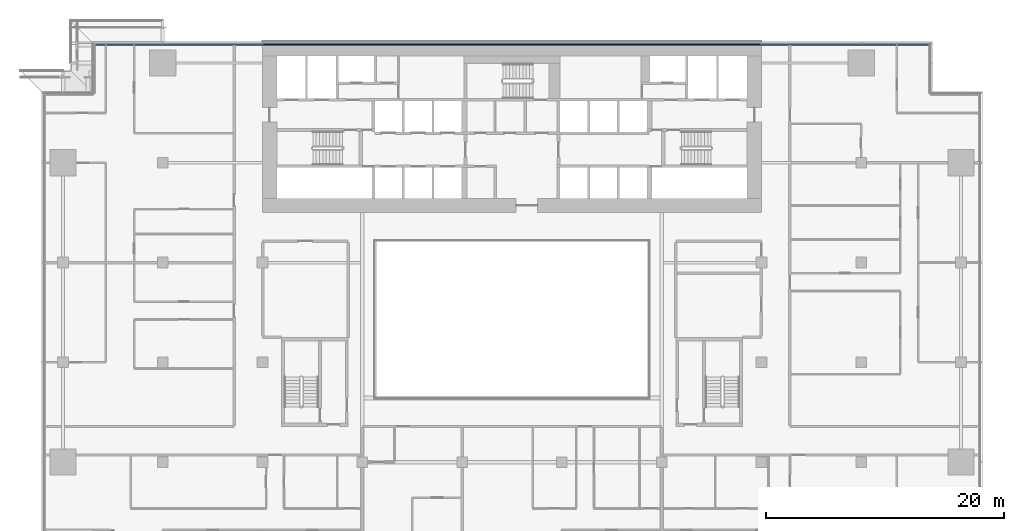
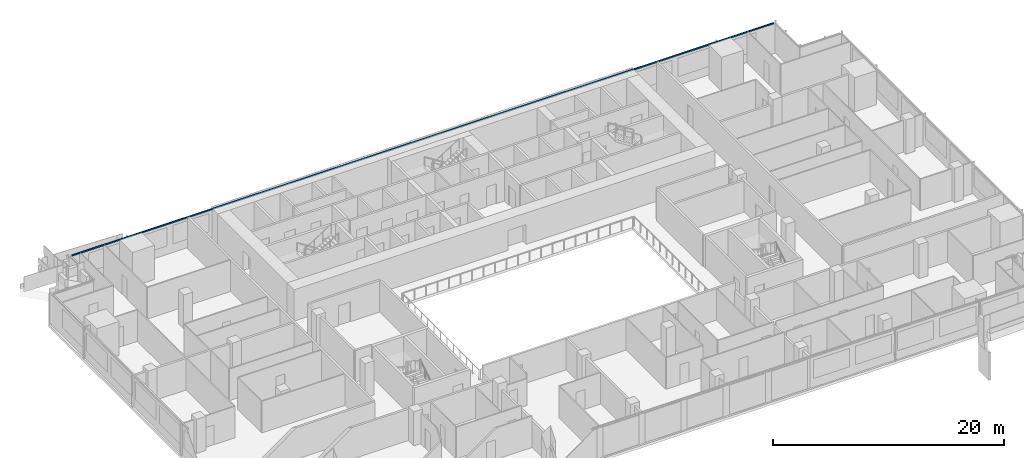
# One storey, part 11 of 30: 1 member, 1 element without a shape of its own.
"""IFC4 building model written with IfcOpenShell, lengths in metres."""

from ifc_helpers import new_model, si_unit, direction, frame, origin, origin_2d, place, context, subcontext, project, spatial, rectangle, extrude, material, material_profile, profile_set, type_object, element, aggregate, save


model = new_model("IFC4")

# Units and contexts
model_context = context("Model", 3, precision=1e-05, world=origin(), true_north=direction((0.0, 1.0)))
body_context = subcontext(model_context, "Body", "Model", "MODEL_VIEW")
ifc_project = project(units=[si_unit("LENGTHUNIT", "METRE"), si_unit("AREAUNIT", "SQUARE_METRE"), si_unit("VOLUMEUNIT", "CUBIC_METRE"), si_unit("PLANEANGLEUNIT", "RADIAN"), si_unit("MASSUNIT", "GRAM", prefix="KILO")], contexts=[model_context])

# Site, building, storey
site_placement = place(None, origin())
site = spatial("IfcSite", under=ifc_project, at=site_placement, CompositionType="ELEMENT")
building_placement = place(site_placement, origin())
building = spatial("IfcBuilding", under=site, at=building_placement, Name="Saffron Gate Tower", CompositionType="ELEMENT")
storey_placement = place(building_placement, frame((0.0, 0.0, 69.60009765625)))
storey = spatial("IfcBuildingStorey", under=building, at=storey_placement, Name="L16", CompositionType="ELEMENT", Elevation=69.60009765625)

# Curtain wall, member
ifc_material = material(Name="Aluminium, bronze anodised", Category="aluminium")
curtain_wall_type = type_object("IfcCurtainWallType", Name="CWS3 curtain wall rear facade", PredefinedType="NOTDEFINED", material=ifc_material)
curtain_wall_placement = place(storey_placement, origin())
curtain_wall = element("IfcCurtainWall", 1, at=curtain_wall_placement, inside=storey, type_object=curtain_wall_type, Name="CWS3 run 7", PredefinedType="NOTDEFINED")
ifc_material_profile = material_profile(ifc_material, rectangle(XDim=0.1201171875, YDim=0.1201171875, at=origin_2d()))
ifc_profile_set = profile_set([ifc_material_profile], Name="Aluminium, bronze anodised")
member_type = type_object("IfcMemberType", Name="CWS3 head transom", PredefinedType="USERDEFINED", material=ifc_profile_set)
member_placement = place(storey_placement, frame((122.632080078125, 75.35205078125, 3.260009765625), z_axis=(-1.0, 0.0, 0.0), x_axis=(0.0, -1.0, 0.0)))
member = element("IfcMember", 2, at=member_placement, type_object=member_type, Name="CWS3 head transom", ObjectType="TRANSOM", PredefinedType="USERDEFINED", context=body_context, shape_type="SweptSolid", body=[
    extrude(rectangle(XDim=0.1201171875, YDim=0.1201171875, at=origin_2d()), origin(), (0.0, 0.0, 1.0), 70.06396484375),
])
aggregate(curtain_wall, [member])

save(model, "model.ifc")
